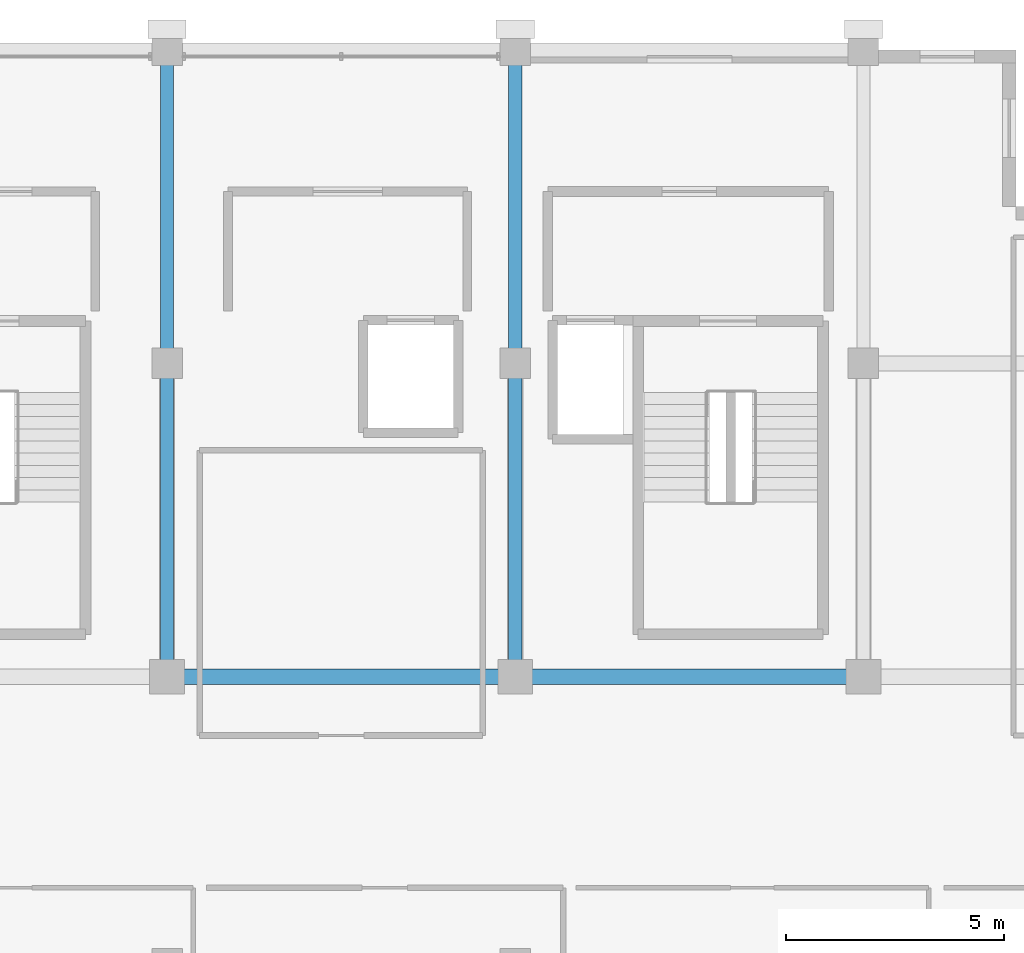
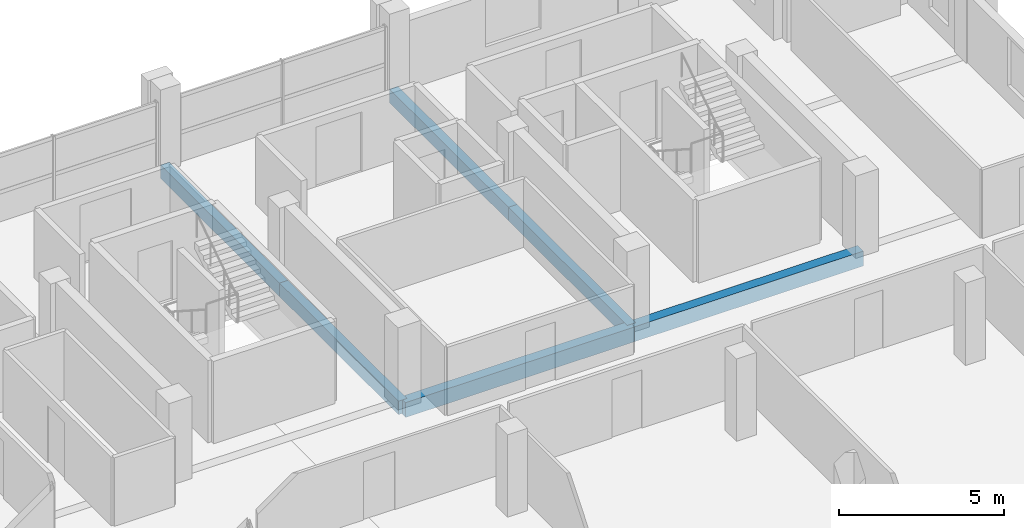
# One storey, part 12 of 24: 6 beams.
"""IFC4 building model written with IfcOpenShell, lengths in metres."""

import ifcopenshell
import ifcopenshell.guid

model = None  # the IFC model being written
_history = None  # IfcOwnerHistory: only IFC2X3 demands one
_inside = {}  # id of a spatial element -> (the spatial element, [elements in it])
_under = {}  # id of a project, library or spatial element -> (it, [spatial elements below it])
_declared = {}  # id of a project -> (the project, [libraries it declares])
_typed = {}  # id of a type object -> (the type object, [elements of that type])
_made_of = {}  # id of a material, layer set ... -> (it, [elements and type objects made of it])


def new_model(schema):
    """Start an empty IFC model of exactly this schema.

    Asked for "IFC4X3", IfcOpenShell would pick the latest addendum, in which some entities
    have other attributes; the version numbers below select the first issue.
    IFC2X3 requires an IfcOwnerHistory on every rooted entity: one is made here for all.
    """
    global model, _history
    if schema == "IFC4X3":
        model = ifcopenshell.file(schema_version=(4, 3, 0, 0))
    else:
        model = ifcopenshell.file(schema=schema)
    _inside.clear()
    _under.clear()
    _declared.clear()
    _typed.clear()
    _made_of.clear()
    _history = None
    if model.schema == "IFC2X3":
        org = make("IfcOrganization", Name="unknown")
        user = make(
            "IfcPersonAndOrganization",
            ThePerson=make("IfcPerson", FamilyName="unknown"),
            TheOrganization=org,
        )
        app = make(
            "IfcApplication",
            ApplicationDeveloper=org,
            Version="unknown",
            ApplicationFullName="unknown",
            ApplicationIdentifier="unknown",
        )
        _history = make(
            "IfcOwnerHistory",
            OwningUser=user,
            OwningApplication=app,
            ChangeAction="ADDED",
            CreationDate=0,
        )
    return model


def make(cls, **values):
    """One entity of the class cls with the attributes given. An attribute that is None is left unset."""
    return model.create_entity(
        cls, **{name: value for name, value in values.items() if value is not None}
    )


def rooted(cls, **values):
    """An entity with a GlobalId (a new one), such as an element, a storey or a relation."""
    return make(cls, GlobalId=ifcopenshell.guid.new(), OwnerHistory=_history, **values)


def si_unit(unit_type, name, prefix=None):
    """IfcSIUnit, for example si_unit("LENGTHUNIT", "METRE", prefix="MILLI")."""
    return make("IfcSIUnit", UnitType=unit_type, Prefix=prefix, Name=name)


def assignment(units):
    """IfcUnitAssignment: the units of a project."""
    return None if units is None else make("IfcUnitAssignment", Units=units)


def point(xyz):
    """IfcCartesianPoint."""
    return None if xyz is None else make("IfcCartesianPoint", Coordinates=xyz)


def direction(xyz):
    """IfcDirection."""
    return None if xyz is None else make("IfcDirection", DirectionRatios=xyz)


def frame(location, z_axis=None, x_axis=None):
    """IfcAxis2Placement3D, a coordinate frame: its origin and axes. An axis left out is left unset."""
    return make(
        "IfcAxis2Placement3D",
        Location=point(location),
        Axis=direction(z_axis),
        RefDirection=direction(x_axis),
    )


def frame_2d(location, x_axis=None):
    """IfcAxis2Placement2D, a coordinate frame in the plane: its origin and x axis."""
    return make(
        "IfcAxis2Placement2D", Location=point(location), RefDirection=direction(x_axis)
    )


def origin():
    """The frame at (0, 0, 0) with its axes left unset."""
    return frame((0.0, 0.0, 0.0))


def origin_2d():
    """The frame at (0, 0) in the plane with its x axis left unset."""
    return frame_2d((0.0, 0.0))


def place(relative_to, where):
    """IfcLocalPlacement: puts the frame where relative to a parent placement (None: the world)."""
    return make(
        "IfcLocalPlacement", PlacementRelTo=relative_to, RelativePlacement=where
    )


def context(
    kind, dimensions, precision=None, world=None, true_north=None, identifier=None
):
    """IfcGeometricRepresentationContext, for example the 3D "Model" context."""
    return make(
        "IfcGeometricRepresentationContext",
        ContextIdentifier=identifier,
        ContextType=kind,
        CoordinateSpaceDimension=dimensions,
        Precision=precision,
        WorldCoordinateSystem=world,
        TrueNorth=true_north,
    )


def subcontext(parent, identifier, kind, view, scale=None):
    """IfcGeometricRepresentationSubContext, for example "Body" below "Model"."""
    return make(
        "IfcGeometricRepresentationSubContext",
        ContextIdentifier=identifier,
        ContextType=kind,
        ParentContext=parent,
        TargetScale=scale,
        TargetView=view,
    )


def project(units=None, contexts=None):
    """IfcProject with its units and contexts."""
    return rooted(
        "IfcProject",
        Name="project",
        RepresentationContexts=contexts,
        UnitsInContext=assignment(units),
    )


def spatial(cls, under=None, at=None, **own):
    """A site, building, storey or space (cls), placed at a placement, below another one or the project."""
    s = rooted(cls, ObjectPlacement=at, **own)
    if under is not None:
        _under.setdefault(under.id(), (under, []))[1].append(s)
    return s


def profile(cls, at=None, kind="AREA", **sizes):
    """A parametric profile (cls). Its sizes go by their IFC names, for example OverallWidth=200.0."""
    return make(cls, ProfileType=kind, Position=at, **sizes)


def rectangle(**sizes):
    """IfcRectangleProfileDef."""
    return profile("IfcRectangleProfileDef", **sizes)


def extrude(swept, where, along, depth):
    """IfcExtrudedAreaSolid: the profile swept, set in the frame where, extruded along a direction by depth."""
    return make(
        "IfcExtrudedAreaSolid",
        SweptArea=swept,
        Position=where,
        ExtrudedDirection=direction(along),
        Depth=depth,
    )


def shape(context_of_items, identifier, shape_type, items):
    """IfcShapeRepresentation: the items that make up one representation, for example the "Body"."""
    return make(
        "IfcShapeRepresentation",
        ContextOfItems=context_of_items,
        RepresentationIdentifier=identifier,
        RepresentationType=shape_type,
        Items=items,
    )


def material(Name=None, Category=None):
    """IfcMaterial."""
    return make("IfcMaterial", Name=Name, Category=Category)


def material_profile(
    of_material, cross_section, Name=None, Category=None, Priority=None
):
    """IfcMaterialProfile: a cross section and its material."""
    return make(
        "IfcMaterialProfile",
        Name=Name,
        Material=of_material,
        Profile=cross_section,
        Priority=Priority,
        Category=Category,
    )


def profile_set(profiles, Name=None, composite=None):
    """IfcMaterialProfileSet."""
    return make(
        "IfcMaterialProfileSet",
        Name=Name,
        MaterialProfiles=profiles,
        CompositeProfile=composite,
    )


def made_of(thing, what):
    """Note that an element or type object is made of a material, layer set ...; save() writes the relation."""
    if what is not None:
        _made_of.setdefault(what.id(), (what, []))[1].append(thing)
    return thing


def type_object(cls, material=None, **own):
    """A type object (cls), such as IfcWallType, which elements share."""
    return made_of(rooted(cls, **own), material)


def element(
    cls,
    number,
    at=None,
    inside=None,
    cuts=None,
    type_object=None,
    material=None,
    context=None,
    identifier="Body",
    shape_type=None,
    held_by="IfcProductDefinitionShape",
    body=None,
    shapes=None,
    **own,
):
    """One element of the class cls, such as IfcWall. Its Tag is "e" and its number.

    at: its placement. inside: the storey or other place that contains it. cuts: it is an
    opening in that element (IfcRelVoidsElement). A single representation is given by context,
    identifier, shape_type and body (its items); several are given by shapes. held_by: the class
    of the entity that holds the representations. save() writes the other relations.
    """
    e = rooted(cls, Tag="e%d" % number, ObjectPlacement=at, **own)
    if body is not None:
        shapes = [shape(context, identifier, shape_type, body)]
    if shapes is not None:
        e.Representation = make(held_by, Representations=shapes)
    if inside is not None:
        _inside.setdefault(inside.id(), (inside, []))[1].append(e)
    if cuts is not None:
        rooted(
            "IfcRelVoidsElement", RelatingBuildingElement=cuts, RelatedOpeningElement=e
        )
    if type_object is not None:
        _typed.setdefault(type_object.id(), (type_object, []))[1].append(e)
    return made_of(e, material)


def aggregate(whole, parts):
    """IfcRelAggregates: a whole, such as a stair, and the parts it consists of."""
    return rooted("IfcRelAggregates", RelatingObject=whole, RelatedObjects=parts)


def save(model, path):
    """Write the relations noted so far, then the file.

    IfcRelAggregates (storeys below a building ...), IfcRelContainedInSpatialStructure (elements
    in a storey), IfcRelDefinesByType, IfcRelAssociatesMaterial and IfcRelDeclares: one each for
    every whole, place, type object, material and project.
    """
    for whole, parts in _under.values():
        aggregate(whole, parts)
    for where, things in _inside.values():
        rooted(
            "IfcRelContainedInSpatialStructure",
            RelatedElements=things,
            RelatingStructure=where,
        )
    for kind, things in _typed.values():
        rooted("IfcRelDefinesByType", RelatedObjects=things, RelatingType=kind)
    for what, things in _made_of.values():
        rooted("IfcRelAssociatesMaterial", RelatedObjects=things, RelatingMaterial=what)
    for by, libraries in _declared.values():
        rooted("IfcRelDeclares", RelatingContext=by, RelatedDefinitions=libraries)
    model.write(path)


model = new_model("IFC4")

# Units and contexts
model_context = context("Model", 3, precision=1e-05, world=origin(), true_north=direction((0.0, 1.0)))
body_context = subcontext(model_context, "Body", "Model", "MODEL_VIEW")
ifc_project = project(units=[si_unit("LENGTHUNIT", "METRE"), si_unit("AREAUNIT", "SQUARE_METRE"), si_unit("VOLUMEUNIT", "CUBIC_METRE"), si_unit("PLANEANGLEUNIT", "RADIAN"), si_unit("MASSUNIT", "GRAM", prefix="KILO")], contexts=[model_context])

# Site, building, storey
site_placement = place(None, origin())
site = spatial("IfcSite", under=ifc_project, at=site_placement, CompositionType="ELEMENT")
building_placement = place(site_placement, origin())
building = spatial("IfcBuilding", under=site, at=building_placement, Name="Akrevak Sports Hall", CompositionType="ELEMENT")
storey_placement = place(building_placement, frame((0.0, 0.0, 56.800048828125)))
storey = spatial("IfcBuildingStorey", under=building, at=storey_placement, Name="L14", CompositionType="ELEMENT", Elevation=56.800048828125)

# Beams
ifc_material = material(Name="Concrete C40/50", Category="concrete")
ifc_material_profile_1 = material_profile(ifc_material, rectangle(XDim=0.300048828125, YDim=0.5, at=origin_2d()), Name="BM 300x500", Category="concrete")
ifc_profile_set_1 = profile_set([ifc_material_profile_1], Name="Concrete C40/50")
beam_type_1 = type_object("IfcBeamType", Name="STR-BM-RC300x500", PredefinedType="BEAM", material=ifc_profile_set_1)
beam_1_placement = place(storey_placement, frame((84.0, 55.199951171875, -0.25), z_axis=(0.0, 1.0, 0.0), x_axis=(-1.0, 0.0, 0.0)))
element("IfcBeam", 1, at=beam_1_placement, inside=storey, type_object=beam_type_1, Name="Girder 12/I-J (L14)", PredefinedType="BEAM", context=body_context, shape_type="SweptSolid", body=[
    extrude(rectangle(XDim=0.300048828125, YDim=0.5, at=origin_2d()), origin(), (0.0, 0.0, 1.0), 7.199951171875),
])
beam_2_placement = place(storey_placement, frame((84.0, 62.39990234375, -0.25), z_axis=(0.0, 1.0, 0.0), x_axis=(-1.0, 0.0, 0.0)))
element("IfcBeam", 2, at=beam_2_placement, inside=storey, type_object=beam_type_1, Name="Girder 12/J-K (L14)", PredefinedType="BEAM", context=body_context, shape_type="SweptSolid", body=[
    extrude(rectangle(XDim=0.300048828125, YDim=0.5, at=origin_2d()), origin(), (0.0, 0.0, 1.0), 7.2001953125),
])
beam_3_placement = place(storey_placement, frame((92.0, 55.199951171875, -0.25), z_axis=(0.0, 1.0, 0.0), x_axis=(-1.0, 0.0, 0.0)))
element("IfcBeam", 3, at=beam_3_placement, inside=storey, type_object=beam_type_1, Name="Girder 13/I-J (L14)", PredefinedType="BEAM", context=body_context, shape_type="SweptSolid", body=[
    extrude(rectangle(XDim=0.300048828125, YDim=0.5, at=origin_2d()), origin(), (0.0, 0.0, 1.0), 7.199951171875),
])
beam_4_placement = place(storey_placement, frame((92.0, 62.39990234375, -0.25), z_axis=(0.0, 1.0, 0.0), x_axis=(-1.0, 0.0, 0.0)))
element("IfcBeam", 4, at=beam_4_placement, inside=storey, type_object=beam_type_1, Name="Girder 13/J-K (L14)", PredefinedType="BEAM", context=body_context, shape_type="SweptSolid", body=[
    extrude(rectangle(XDim=0.300048828125, YDim=0.5, at=origin_2d()), origin(), (0.0, 0.0, 1.0), 7.2001953125),
])
ifc_material_profile_2 = material_profile(ifc_material, rectangle(XDim=0.35009765625, YDim=0.550048828125, at=origin_2d()), Name="BM 350x550", Category="concrete")
ifc_profile_set_2 = profile_set([ifc_material_profile_2], Name="Concrete C40/50")
beam_type_2 = type_object("IfcBeamType", Name="STR-BM-RC350x550", PredefinedType="BEAM", material=ifc_profile_set_2)
for number, where, z_axis, x_axis, name in (
    (5, (84.0, 55.199951171875, -0.275146484375), (1.0, 0.0, 0.0), (0.0, 1.0, 0.0), "Girder I/12-13 (L14)"),
    (6, (92.0, 55.199951171875, -0.275146484375), (1.0, 0.0, 0.0), (0.0, 1.0, 0.0), "Girder I/13-14 (L14)"),
):
    element("IfcBeam", number, at=place(storey_placement, frame(where, z_axis=z_axis, x_axis=x_axis)), inside=storey, type_object=beam_type_2, Name=name, PredefinedType="BEAM", context=body_context, shape_type="SweptSolid", body=[
        extrude(rectangle(XDim=0.35009765625, YDim=0.550048828125, at=origin_2d()), origin(), (0.0, 0.0, 1.0), 8.0),
    ])

save(model, "model.ifc")
